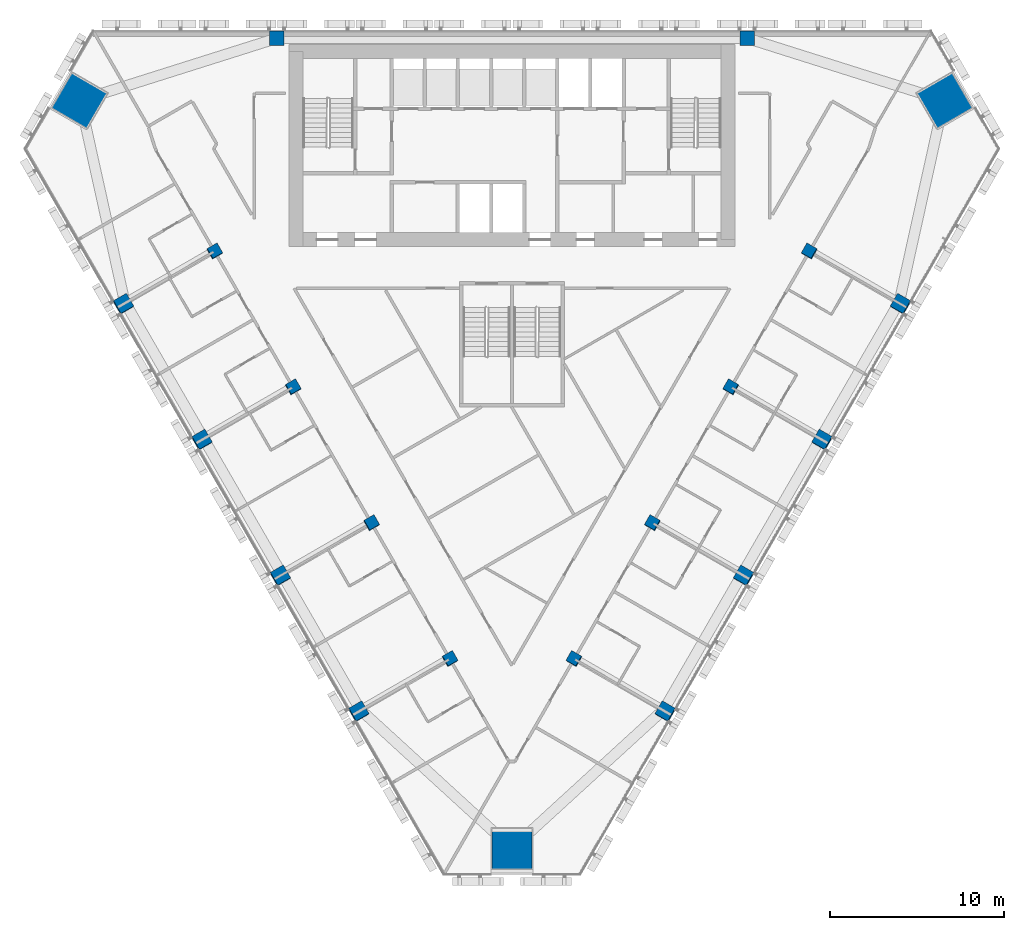
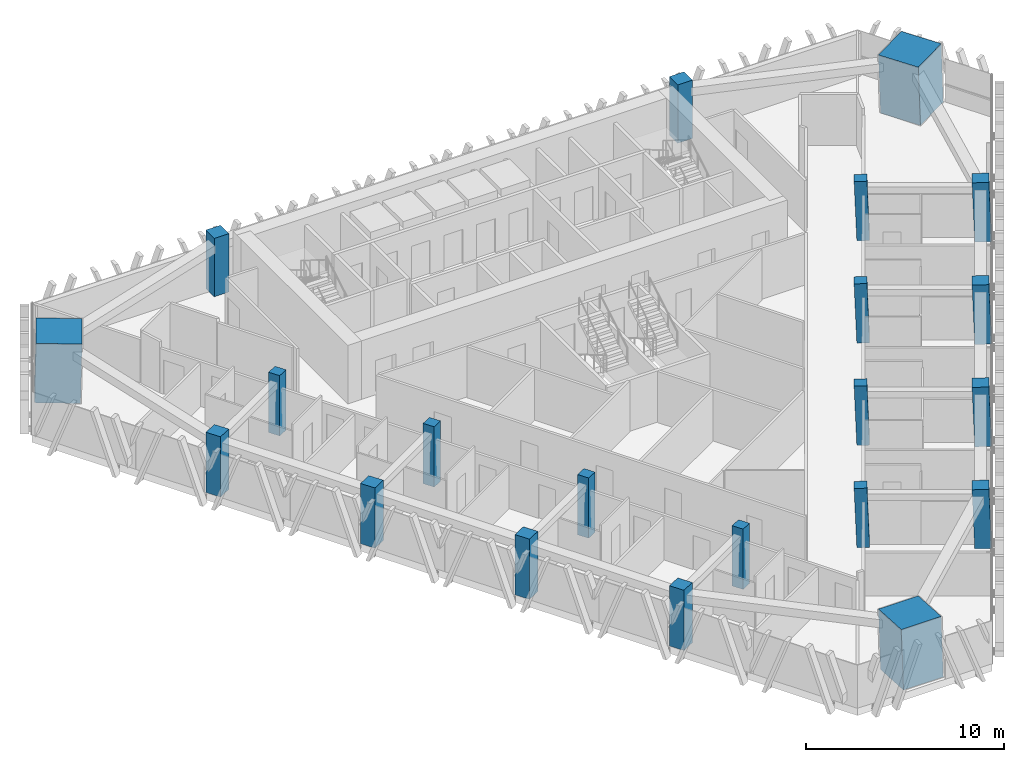
# One storey, part 1 of 16: 21 columns.
"""IFC4 building model written with IfcOpenShell, lengths in metres."""

from ifc_helpers import new_model, si_unit, direction, frame, origin, origin_2d, place, context, subcontext, project, spatial, rectangle, extrude, material, material_profile, profile_set, type_object, element, save


model = new_model("IFC4")

# Units and contexts
model_context = context("Model", 3, precision=1e-05, world=origin(), true_north=direction((0.0, 1.0)))
body_context = subcontext(model_context, "Body", "Model", "MODEL_VIEW")
ifc_project = project(units=[si_unit("LENGTHUNIT", "METRE"), si_unit("AREAUNIT", "SQUARE_METRE"), si_unit("VOLUMEUNIT", "CUBIC_METRE"), si_unit("PLANEANGLEUNIT", "RADIAN"), si_unit("MASSUNIT", "GRAM", prefix="KILO")], contexts=[model_context])

# Site, building, storey
site_placement = place(None, origin())
site = spatial("IfcSite", under=ifc_project, at=site_placement, CompositionType="ELEMENT")
building_placement = place(site_placement, origin())
building = spatial("IfcBuilding", under=site, at=building_placement, Name="Altiplano Prism Tower", CompositionType="ELEMENT")
storey_placement = place(building_placement, frame((0.0, 0.0, 127.800048828125)))
storey = spatial("IfcBuildingStorey", under=building, at=storey_placement, Name="L32", CompositionType="ELEMENT", Elevation=127.800048828125)

# Columns
ifc_material_1 = material(Name="Concrete C60/75", Category="concrete")
ifc_material_profile_1 = material_profile(ifc_material_1, rectangle(XDim=0.64990234375, YDim=0.64990234375, at=origin_2d()), Name="Inner column 650")
ifc_profile_set_1 = profile_set([ifc_material_profile_1], Name="Concrete C60/75")
column_type_1 = type_object("IfcColumnType", Name="Inner column 650", PredefinedType="COLUMN", material=ifc_profile_set_1)
for number, where, z_axis, x_axis, name in (
    (1, (67.931884765625, 92.31982421875, -0.019775390625), (0.02222134892, 0.038480872521, 0.999012229206), (-0.865639410047, -0.499186822153, 0.038482832055), "Inner column I11 L32"),
    (2, (72.431884765625, 84.525634765625, -0.019775390625), (0.02222134892, 0.038480872521, 0.999012229206), (-0.865639418776, -0.499186807044, 0.038482831667), "Inner column I12 L32"),
    (3, (76.931884765625, 76.7314453125, -0.019775390625), (0.022221406801, 0.038413224561, 0.999014831351), (-0.866021380218, -0.498527772566, 0.0384321348), "Inner column I13 L32"),
    (4, (81.431884765625, 68.937255859375, -0.019775390625), (0.022221406801, 0.038413224561, 0.999014831351), (-0.866021388936, -0.498527757451, 0.038432134412), "Inner column I14 L32"),
    (5, (88.568115234375, 68.937255859375, -0.019775390625), (-0.022221406801, 0.038413224561, 0.999014831351), (-0.499512925744, -0.866022227907, 0.022188685988), "Inner column I21 L32"),
    (6, (93.068115234375, 76.7314453125, -0.019775390625), (-0.022221406801, 0.038413224561, 0.999014831351), (-0.499512940858, -0.866022219206, 0.022188685317), "Inner column I22 L32"),
    (7, (97.568115234375, 84.525634765625, -0.019775390625), (-0.02222134892, 0.038480872521, 0.999012229206), (-0.500169939593, -0.865642180581, 0.022218162104), "Inner column I23 L32"),
    (8, (102.068115234375, 92.31982421875, -0.019775390625), (-0.02222134892, 0.038480872521, 0.999012229206), (-0.500169954701, -0.865642171868, 0.022218161432), "Inner column I24 L32"),
):
    element("IfcColumn", number, at=place(storey_placement, frame(where, z_axis=z_axis, x_axis=x_axis)), inside=storey, type_object=column_type_1, Name=name, PredefinedType="COLUMN", context=body_context, shape_type="SweptSolid", body=[
        extrude(rectangle(XDim=0.64990234375, YDim=0.64990234375, at=origin_2d()), origin(), (0.0, 0.0, 1.0), 3.603759765625),
    ])
ifc_material_2 = material(Name="Concrete C70/85", Category="concrete")
ifc_material_profile_2 = material_profile(ifc_material_2, rectangle(XDim=2.320068359375, YDim=2.320068359375, at=origin_2d()), Name="Mega column infill 2400")
ifc_profile_set_2 = profile_set([ifc_material_profile_2], Name="Concrete C70/85")
column_type_2 = type_object("IfcColumnType", Name="Mega column infill 2400", PredefinedType="COLUMN", material=ifc_profile_set_2)
column_1_placement = place(storey_placement, frame((60.11572265625, 100.953125, 0.0), z_axis=(0.028403739082, 0.009219352065, 0.999554016126), x_axis=(-0.865118537923, 0.501170103086, 0.019961039903)))
element("IfcColumn", 9, at=column_1_placement, inside=storey, type_object=column_type_2, Name="Mega column M0 L32", PredefinedType="COLUMN", context=body_context, shape_type="SweptSolid", body=[
    extrude(rectangle(XDim=2.320068359375, YDim=2.320068359375, at=origin_2d()), origin(), (0.0, 0.0, 1.0), 3.6015625),
])
column_2_placement = place(storey_placement, frame((85.0, 57.852294921875, 0.0), z_axis=(0.0, 0.058360852261, 0.998295552892), x_axis=(-1.0, 0.0, 0.0)))
element("IfcColumn", 10, at=column_2_placement, inside=storey, type_object=column_type_2, Name="Mega column M1 L32", PredefinedType="COLUMN", context=body_context, shape_type="SweptSolid", body=[
    extrude(rectangle(XDim=2.320068359375, YDim=2.320068359375, at=origin_2d()), origin(), (0.0, 0.0, 1.0), 3.60595703125),
])
column_3_placement = place(storey_placement, frame((109.88427734375, 100.953125, 0.0), z_axis=(-0.028403739082, 0.009219352065, 0.999554016126), x_axis=(0.500765052808, -0.865298233906, 0.022210994706)))
element("IfcColumn", 11, at=column_3_placement, inside=storey, type_object=column_type_2, Name="Mega column M2 L32", PredefinedType="COLUMN", context=body_context, shape_type="SweptSolid", body=[
    extrude(rectangle(XDim=2.320068359375, YDim=2.320068359375, at=origin_2d()), origin(), (0.0, 0.0, 1.0), 3.6015625),
])
ifc_material_profile_3 = material_profile(ifc_material_1, rectangle(XDim=0.85009765625, YDim=0.85009765625, at=origin_2d()), Name="Perimeter column 850")
ifc_profile_set_3 = profile_set([ifc_material_profile_3], Name="Concrete C60/75")
column_type_3 = type_object("IfcColumnType", Name="Perimeter column 850", PredefinedType="COLUMN", material=ifc_profile_set_3)
for number, where, z_axis, x_axis, name in (
    (12, (98.5, 104.550048828125, 0.0), (0.0, 0.0, 1.0), (1.0, 0.0, 0.0), "Perimeter column P01 L32"),
    (13, (71.5, 104.550048828125, 0.0), (0.0, 0.0, 1.0), (1.0, 0.0, 0.0), "Perimeter column P04 L32"),
):
    element("IfcColumn", number, at=place(storey_placement, frame(where, z_axis=z_axis, x_axis=x_axis)), inside=storey, type_object=column_type_3, Name=name, PredefinedType="COLUMN", context=body_context, shape_type="SweptSolid", body=[
        extrude(rectangle(XDim=0.85009765625, YDim=0.85009765625, at=origin_2d()), origin(), (0.0, 0.0, 1.0), 3.599853515625),
    ])
for number, where, z_axis, x_axis, name in (
    (14, (62.6923828125, 89.294677734375, -0.02587890625), (0.02215369191, 0.038413282303, 0.999016333038), (-0.865361996721, -0.499673729543, 0.03840284671), "Perimeter column P11 L32"),
    (15, (67.1923828125, 81.50048828125, -0.02587890625), (0.02215369191, 0.038413282303, 0.999016333038), (-0.865362005459, -0.499673714439, 0.038402846323), "Perimeter column P12 L32"),
    (16, (71.6923828125, 73.706298828125, -0.02587890625), (0.02215369191, 0.038413282303, 0.999016333038), (-0.865361996721, -0.499673729543, 0.03840284671), "Perimeter column P13 L32"),
    (17, (76.1923828125, 65.911865234375, -0.02587890625), (0.022153634206, 0.038480930364, 0.999013730882), (-0.864979746314, -0.500331250733, 0.038453582494), "Perimeter column P14 L32"),
    (18, (93.8076171875, 65.911865234375, -0.02587890625), (-0.022153634206, 0.038480930364, 0.999013730882), (-0.501317519101, -0.864978530103, 0.022201069873), "Perimeter column P21 L32"),
    (19, (98.3076171875, 73.706298828125, -0.02587890625), (-0.02215369191, 0.038413282303, 0.999016333038), (-0.500657396395, -0.86536153355, 0.022171776814), "Perimeter column P22 L32"),
    (20, (102.8076171875, 81.50048828125, -0.02587890625), (-0.02215369191, 0.038413282303, 0.999016333038), (-0.500652759639, -0.865364210869, 0.022171982582), "Perimeter column P23 L32"),
    (21, (107.3076171875, 89.294677734375, -0.02587890625), (-0.02215369191, 0.038413282303, 0.999016333038), (-0.500652774743, -0.865364202149, 0.022171981912), "Perimeter column P24 L32"),
):
    element("IfcColumn", number, at=place(storey_placement, frame(where, z_axis=z_axis, x_axis=x_axis)), inside=storey, type_object=column_type_3, Name=name, PredefinedType="COLUMN", context=body_context, shape_type="SweptSolid", body=[
        extrude(rectangle(XDim=0.85009765625, YDim=0.85009765625, at=origin_2d()), origin(), (0.0, 0.0, 1.0), 3.603759765625),
    ])

save(model, "model.ifc")
